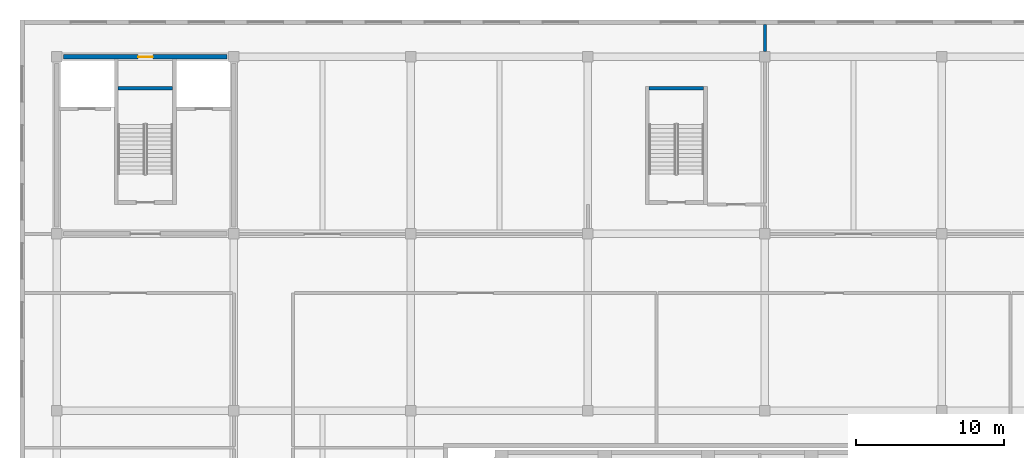
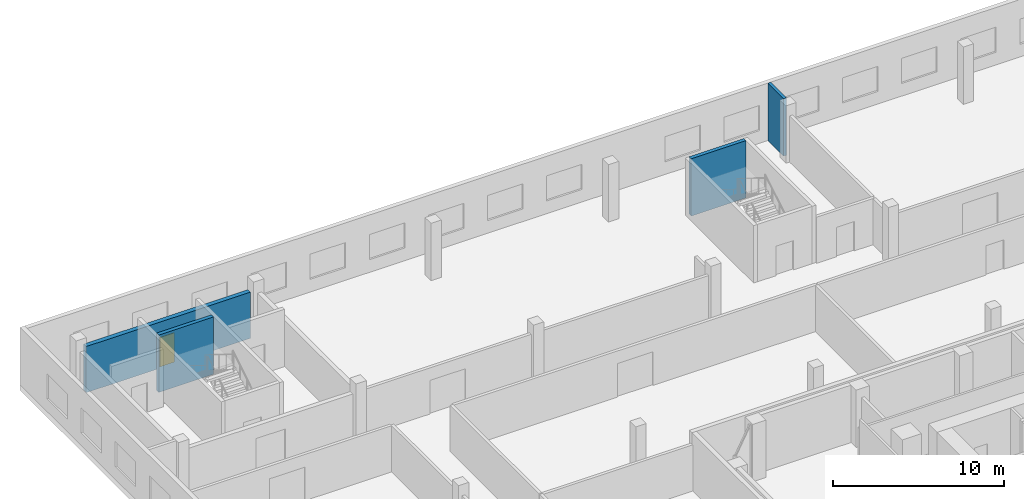
# One storey, part 23 of 36: 4 walls, 1 door, 1 opening.
"""IFC4 building model written with IfcOpenShell, lengths in metres."""

from ifc_helpers import new_model, si_unit, direction, frame, frame_2d, origin, place, context, subcontext, project, spatial, rectangle, extrude, source, transform, mapped, material, layer, layer_set, type_object, element, fill, save


model = new_model("IFC4")

# Units and contexts
model_context = context("Model", 3, precision=1e-05, world=origin(), true_north=direction((0.0, 1.0)))
body_context = subcontext(model_context, "Body", "Model", "MODEL_VIEW")
ifc_project = project(units=[si_unit("LENGTHUNIT", "METRE"), si_unit("AREAUNIT", "SQUARE_METRE"), si_unit("VOLUMEUNIT", "CUBIC_METRE"), si_unit("PLANEANGLEUNIT", "RADIAN"), si_unit("MASSUNIT", "GRAM", prefix="KILO")], contexts=[model_context])

# Site, building, storey
site_placement = place(None, origin())
site = spatial("IfcSite", under=ifc_project, at=site_placement, CompositionType="ELEMENT")
building_placement = place(site_placement, origin())
building = spatial("IfcBuilding", under=site, at=building_placement, Name="Kilnfold Tower and Market Hall", CompositionType="ELEMENT")
storey_placement = place(building_placement, frame((0.0, 0.0, 18.0)))
storey = spatial("IfcBuildingStorey", under=building, at=storey_placement, Name="L03", CompositionType="ELEMENT", Elevation=18.0)

# Walls
ifc_material_1 = material(Name="Concrete C50/60", Category="concrete")
ifc_layer_1 = layer(ifc_material_1, 0.25)
ifc_layer_set_1 = layer_set([ifc_layer_1], Name="Concrete C50/60")
wall_type_1 = type_object("IfcWallType", Name="HALL CORE WALL 250", PredefinedType="SHEAR", material=ifc_layer_set_1)
shared_shape_1 = source(origin(), body_context, "Body", "SweptSolid", [
    extrude(rectangle(XDim=3.699951171875, YDim=0.25, at=frame_2d((1.85009765625, 0.0))), origin(), (0.0, 0.0, 1.0), 4.10009765625),
])
for number, where, z_axis, x_axis, name in (
    (1, (-46.800048828125, 52.52490234375, 0.0), (0.0, 0.0, 1.0), (-1.0, 0.0, 0.0), "Core wall MH2"),
    (2, (-14.5, 52.52490234375, 0.0), (0.0, 0.0, 1.0), (1.0, 0.0, 0.0), "Core wall MS4"),
):
    element("IfcWall", number, at=place(storey_placement, frame(where, z_axis=z_axis, x_axis=x_axis)), inside=storey, type_object=wall_type_1, Name=name, PredefinedType="SHEAR", context=body_context, shape_type="MappedRepresentation", body=[
        mapped(shared_shape_1, transform((0.0, 0.0, 0.0))),
    ])

# Wall, opening, door
ifc_material_2 = material(Name="Concrete C50/60", Category="concrete")
ifc_layer_2 = layer(ifc_material_2, 0.300048828125)
ifc_layer_set_2 = layer_set([ifc_layer_2], Name="Concrete C50/60")
wall_type_2 = type_object("IfcWallType", Name="HALL CORE WALL 300", PredefinedType="SHEAR", material=ifc_layer_set_2)
shared_shape_2 = source(origin(), body_context, "Body", "SweptSolid", [
    extrude(rectangle(XDim=11.099853515625, YDim=0.300048828125, at=frame_2d((5.5498046875, 0.0))), origin(), (0.0, 0.0, 1.0), 3.300048828125),
])
wall_1_placement = place(storey_placement, frame((-43.10009765625, 54.64990234375, 0.0), z_axis=(0.0, 0.0, 1.0), x_axis=(-1.0, 0.0, 0.0)))
wall_1 = element("IfcWall", 3, at=wall_1_placement, inside=storey, type_object=wall_type_2, Name="Core wall MH2", PredefinedType="SHEAR", context=body_context, shape_type="MappedRepresentation", body=[
    mapped(shared_shape_2, transform((0.0, 0.0, 0.0))),
])
opening_placement = place(wall_1_placement, frame((5.050048828125, 0.0, 0.0)))
opening = element("IfcOpeningElement", 4, at=opening_placement, cuts=wall_1, Name="Opening MD4-60", PredefinedType="OPENING", context=body_context, shape_type="SweptSolid", body=[
    extrude(rectangle(XDim=1.0, YDim=2.10009765625, at=frame_2d((0.5, 1.050048828125))), frame((0.0, 0.16015625, 0.0), z_axis=(0.0, -1.0, 0.0), x_axis=(1.0, 0.0, 0.0)), (0.0, 0.0, 1.0), 0.320068359375),
])
ifc_material_3 = material(Name="Steel S355", Category="steel")
door_type = type_object("IfcDoorType", Name="HALL DOOR RISER 1000X2100 FD60", OperationType="NOTDEFINED", PredefinedType="DOOR", material=ifc_material_3)
door_placement = place(opening_placement, origin())
door = element("IfcDoor", 5, at=door_placement, inside=storey, type_object=door_type, Name="Door MD4-60", OperationType="SINGLE_SWING_LEFT", OverallHeight=2.10009765625, OverallWidth=1.0, PredefinedType="DOOR", context=body_context, shape_type="SweptSolid", body=[
    extrude(rectangle(XDim=1.0, YDim=2.10009765625, at=frame_2d((0.5, 1.050048828125))), frame((0.0, 0.02490234375, 0.0), z_axis=(0.0, -1.0, 0.0), x_axis=(1.0, 0.0, 0.0)), (0.0, 0.0, 1.0), 0.050048828125),
])
fill(opening, door)

# Wall
ifc_material_4 = material(Name="Concrete blockwork", Category="masonry")
ifc_layer_3 = layer(ifc_material_4, 0.199951171875)
ifc_layer_set_3 = layer_set([ifc_layer_3], Name="Concrete blockwork")
wall_type_3 = type_object("IfcWallType", Name="HALL PARTITION 200 EI 120", PredefinedType="PARTITIONING", material=ifc_layer_set_3)
shared_shape_3 = source(origin(), body_context, "Body", "SweptSolid", [
    extrude(rectangle(XDim=1.85009765625, YDim=0.199951171875, at=frame_2d((0.925048828125, 0.0))), origin(), (0.0, 0.0, 1.0), 4.10009765625),
])
wall_2_placement = place(storey_placement, frame((-6.64990234375, 56.85009765625, 0.0), z_axis=(0.0, 0.0, 1.0), x_axis=(0.0, -1.0, 0.0)))
element("IfcWall", 6, at=wall_2_placement, inside=storey, type_object=wall_type_3, Name="Partition W-MH-L03.39", PredefinedType="PARTITIONING", context=body_context, shape_type="MappedRepresentation", body=[
    mapped(shared_shape_3, transform((0.0, 0.0, 0.0))),
])

save(model, "model.ifc")
